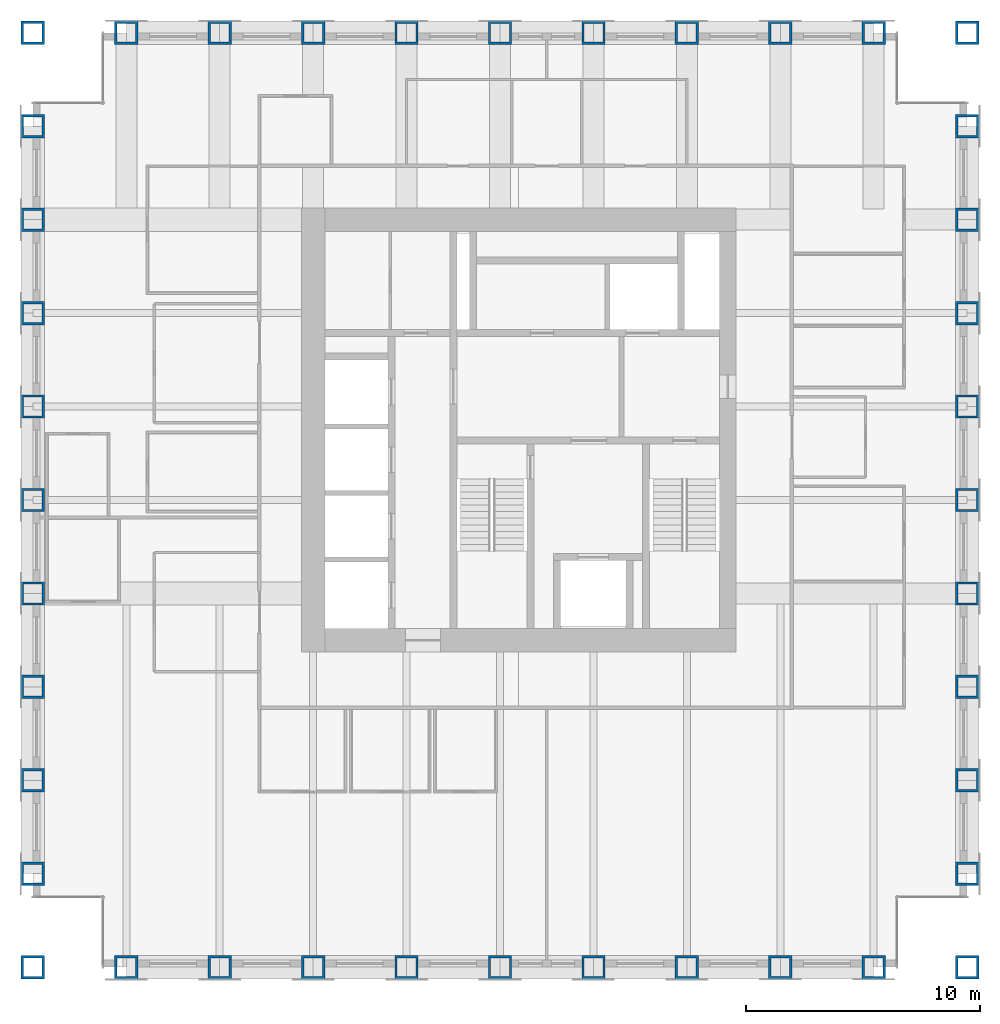
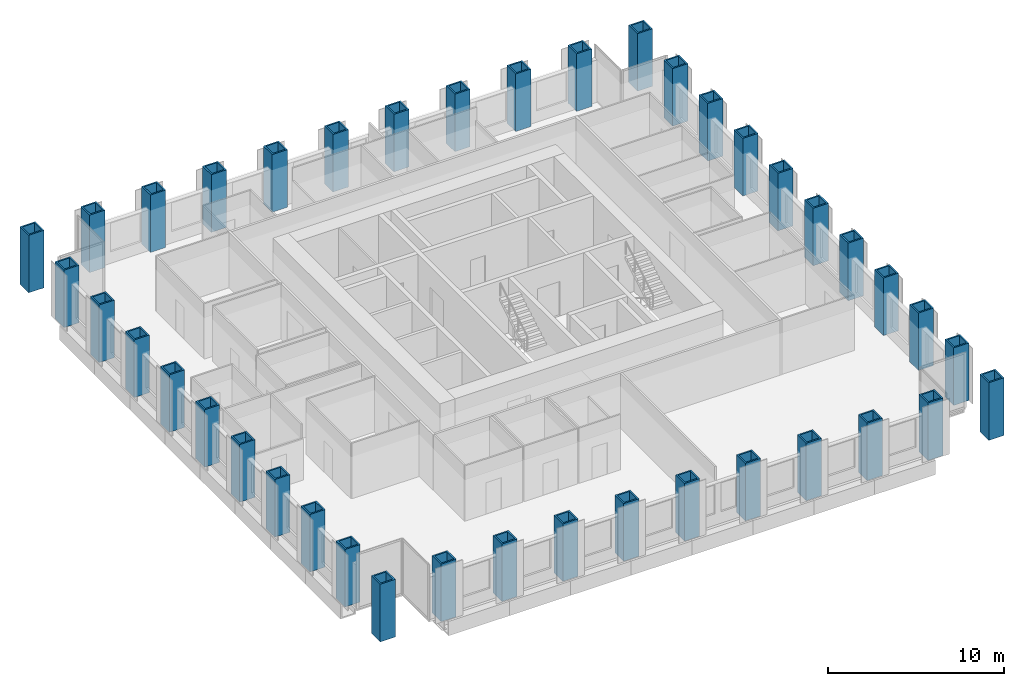
# One storey, part 1 of 13: 40 columns.
"""IFC4 building model written with IfcOpenShell, lengths in metres."""

from ifc_helpers import new_model, si_unit, direction, frame, origin, origin_2d, place, context, subcontext, project, spatial, hollow_rectangle, extrude, material, material_profile, profile_set, type_object, element, save


model = new_model("IFC4")

# Units and contexts
model_context = context("Model", 3, precision=1e-05, world=origin(), true_north=direction((0.0, 1.0)))
body_context = subcontext(model_context, "Body", "Model", "MODEL_VIEW")
ifc_project = project(units=[si_unit("LENGTHUNIT", "METRE"), si_unit("AREAUNIT", "SQUARE_METRE"), si_unit("VOLUMEUNIT", "CUBIC_METRE"), si_unit("PLANEANGLEUNIT", "RADIAN"), si_unit("MASSUNIT", "GRAM", prefix="KILO")], contexts=[model_context])

# Site, building, storey
site_placement = place(None, origin())
site = spatial("IfcSite", under=ifc_project, at=site_placement, CompositionType="ELEMENT")
building_placement = place(site_placement, origin())
building = spatial("IfcBuilding", under=site, at=building_placement, Name="Rimbunsela Tower", CompositionType="ELEMENT")
storey_placement = place(building_placement, frame((0.0, 0.0, 290.199951171875)))
storey = spatial("IfcBuildingStorey", under=building, at=storey_placement, Name="L70", CompositionType="ELEMENT", Elevation=290.199951171875)

# Columns
ifc_material = material(Name="Steel BJ 55 (fy 410 MPa)", Category="steel")
ifc_material_profile = material_profile(ifc_material, hollow_rectangle(XDim=1.0, YDim=1.0, WallThickness=0.10009765625, at=origin_2d()), Name="BOX 1000x1000x100")
ifc_profile_set = profile_set([ifc_material_profile], Name="Steel BJ 55 (fy 410 MPa)")
column_type = type_object("IfcColumnType", Name="Column BOX 1000x1000x100", PredefinedType="COLUMN", material=ifc_profile_set)
for number, where, z_axis, x_axis, name in (
    (1, (6.0, 4.0, 0.0), (0.0, 0.0, 1.0), (1.0, 0.0, 0.0), "Column C1 4/C L70"),
    (2, (6.0, 8.0, 0.0), (0.0, 0.0, 1.0), (1.0, 0.0, 0.0), "Column C1 4/D L70"),
    (3, (6.0, 12.0, 0.0), (0.0, 0.0, 1.0), (1.0, 0.0, 0.0), "Column C1 4/E L70"),
    (4, (6.0, 16.0, 0.0), (0.0, 0.0, 1.0), (1.0, 0.0, 0.0), "Column C1 4/F L70"),
    (5, (6.0, 20.0, 0.0), (0.0, 0.0, 1.0), (1.0, 0.0, 0.0), "Column C1 4/G L70"),
    (6, (6.0, 24.0, 0.0), (0.0, 0.0, 1.0), (1.0, 0.0, 0.0), "Column C1 4/H L70"),
    (7, (6.0, 28.0, 0.0), (0.0, 0.0, 1.0), (1.0, 0.0, 0.0), "Column C1 4/J L70"),
    (8, (6.0, 32.0, 0.0), (0.0, 0.0, 1.0), (1.0, 0.0, 0.0), "Column C1 4/K L70"),
    (9, (6.0, 36.0, 0.0), (0.0, 0.0, 1.0), (1.0, 0.0, 0.0), "Column C1 4/L L70"),
    (10, (6.0, 40.0, 0.0), (0.0, 0.0, 1.0), (1.0, 0.0, 0.0), "Column C1 4/M L70"),
    (11, (6.0, 44.0, 0.0), (0.0, 0.0, 1.0), (1.0, 0.0, 0.0), "Column C1 4/N L70"),
    (12, (10.0, 4.0, 0.0), (0.0, 0.0, 1.0), (1.0, 0.0, 0.0), "Column C1 5/C L70"),
    (13, (10.0, 44.0, 0.0), (0.0, 0.0, 1.0), (1.0, 0.0, 0.0), "Column C1 5/N L70"),
    (14, (14.0, 4.0, 0.0), (0.0, 0.0, 1.0), (1.0, 0.0, 0.0), "Column C1 6/C L70"),
    (15, (14.0, 44.0, 0.0), (0.0, 0.0, 1.0), (1.0, 0.0, 0.0), "Column C1 6/N L70"),
    (16, (18.0, 4.0, 0.0), (0.0, 0.0, 1.0), (1.0, 0.0, 0.0), "Column C1 7/C L70"),
    (17, (18.0, 44.0, 0.0), (0.0, 0.0, 1.0), (1.0, 0.0, 0.0), "Column C1 7/N L70"),
    (18, (22.0, 4.0, 0.0), (0.0, 0.0, 1.0), (1.0, 0.0, 0.0), "Column C1 8/C L70"),
    (19, (22.0, 44.0, 0.0), (0.0, 0.0, 1.0), (1.0, 0.0, 0.0), "Column C1 8/N L70"),
    (20, (26.0, 4.0, 0.0), (0.0, 0.0, 1.0), (1.0, 0.0, 0.0), "Column C1 9/C L70"),
    (21, (26.0, 44.0, 0.0), (0.0, 0.0, 1.0), (1.0, 0.0, 0.0), "Column C1 9/N L70"),
    (22, (30.0, 4.0, 0.0), (0.0, 0.0, 1.0), (1.0, 0.0, 0.0), "Column C1 10/C L70"),
    (23, (30.0, 44.0, 0.0), (0.0, 0.0, 1.0), (1.0, 0.0, 0.0), "Column C1 10/N L70"),
    (24, (34.0, 4.0, 0.0), (0.0, 0.0, 1.0), (1.0, 0.0, 0.0), "Column C1 11/C L70"),
    (25, (34.0, 44.0, 0.0), (0.0, 0.0, 1.0), (1.0, 0.0, 0.0), "Column C1 11/N L70"),
    (26, (38.0, 4.0, 0.0), (0.0, 0.0, 1.0), (1.0, 0.0, 0.0), "Column C1 12/C L70"),
    (27, (38.0, 44.0, 0.0), (0.0, 0.0, 1.0), (1.0, 0.0, 0.0), "Column C1 12/N L70"),
    (28, (42.0, 4.0, 0.0), (0.0, 0.0, 1.0), (1.0, 0.0, 0.0), "Column C1 13/C L70"),
    (29, (42.0, 44.0, 0.0), (0.0, 0.0, 1.0), (1.0, 0.0, 0.0), "Column C1 13/N L70"),
    (30, (46.0, 4.0, 0.0), (0.0, 0.0, 1.0), (1.0, 0.0, 0.0), "Column C1 14/C L70"),
    (31, (46.0, 8.0, 0.0), (0.0, 0.0, 1.0), (1.0, 0.0, 0.0), "Column C1 14/D L70"),
    (32, (46.0, 12.0, 0.0), (0.0, 0.0, 1.0), (1.0, 0.0, 0.0), "Column C1 14/E L70"),
    (33, (46.0, 16.0, 0.0), (0.0, 0.0, 1.0), (1.0, 0.0, 0.0), "Column C1 14/F L70"),
    (34, (46.0, 20.0, 0.0), (0.0, 0.0, 1.0), (1.0, 0.0, 0.0), "Column C1 14/G L70"),
    (35, (46.0, 24.0, 0.0), (0.0, 0.0, 1.0), (1.0, 0.0, 0.0), "Column C1 14/H L70"),
    (36, (46.0, 28.0, 0.0), (0.0, 0.0, 1.0), (1.0, 0.0, 0.0), "Column C1 14/J L70"),
    (37, (46.0, 32.0, 0.0), (0.0, 0.0, 1.0), (1.0, 0.0, 0.0), "Column C1 14/K L70"),
    (38, (46.0, 36.0, 0.0), (0.0, 0.0, 1.0), (1.0, 0.0, 0.0), "Column C1 14/L L70"),
    (39, (46.0, 40.0, 0.0), (0.0, 0.0, 1.0), (1.0, 0.0, 0.0), "Column C1 14/M L70"),
    (40, (46.0, 44.0, 0.0), (0.0, 0.0, 1.0), (1.0, 0.0, 0.0), "Column C1 14/N L70"),
):
    element("IfcColumn", number, at=place(storey_placement, frame(where, z_axis=z_axis, x_axis=x_axis)), inside=storey, type_object=column_type, Name=name, PredefinedType="COLUMN", context=body_context, shape_type="SweptSolid", body=[
        extrude(hollow_rectangle(XDim=1.0, YDim=1.0, WallThickness=0.10009765625, at=origin_2d()), origin(), (0.0, 0.0, 1.0), 4.0),
    ])

save(model, "model.ifc")
